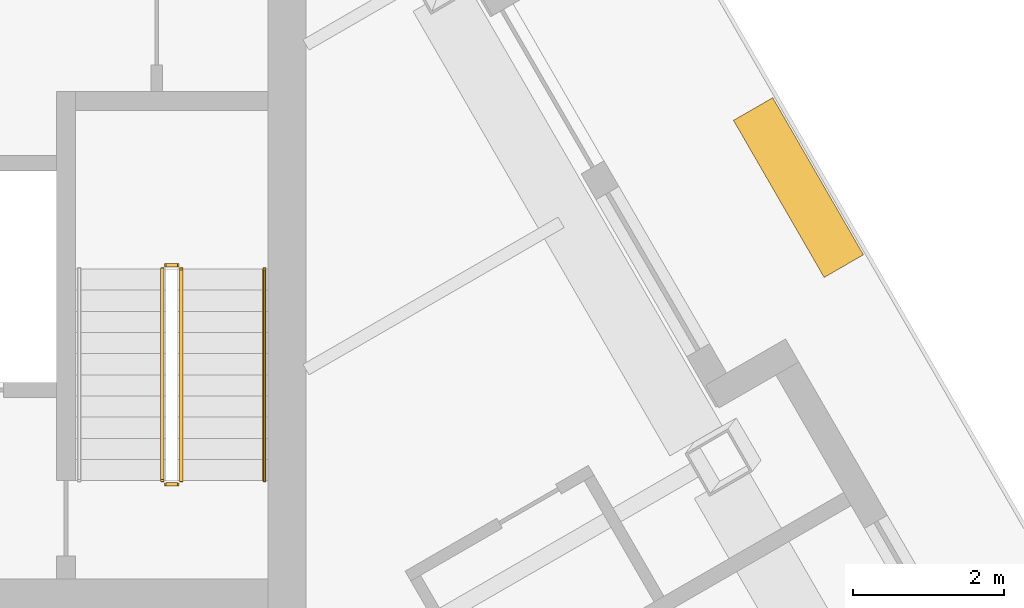
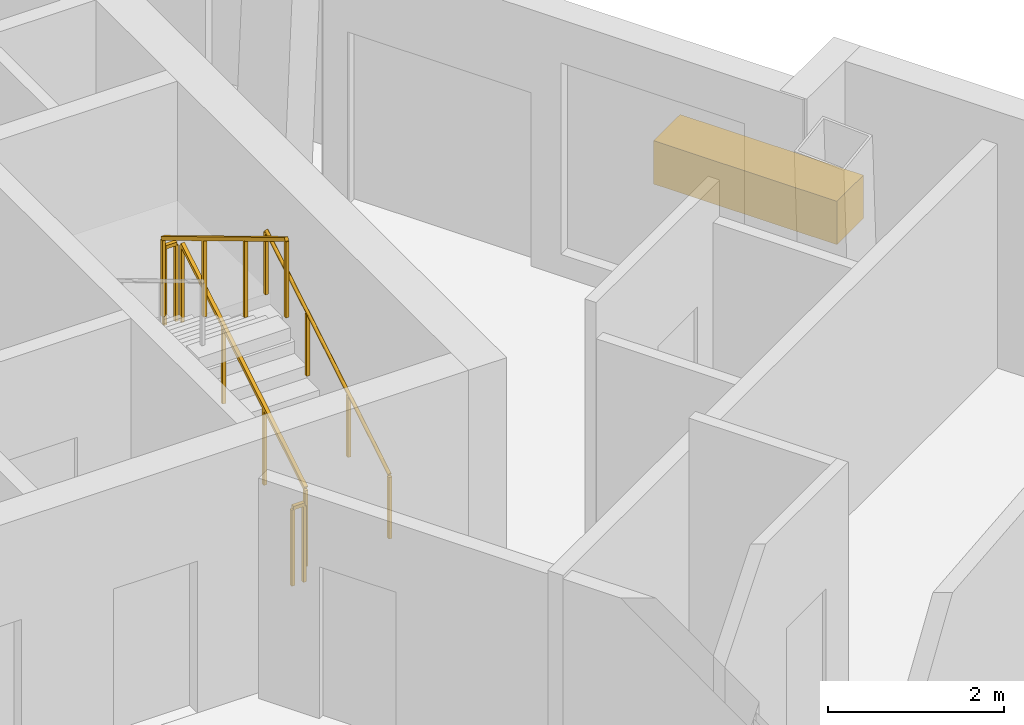
# One storey, part 13 of 13: 5 railings, 1 covering.
"""IFC4 building model written with IfcOpenShell, lengths in metres."""

from ifc_helpers import new_model, si_unit, direction, frame, origin, origin_2d, place, context, subcontext, project, spatial, rectangle, circle, extrude, material, type_object, element, save


model = new_model("IFC4")

# Units and contexts
model_context = context("Model", 3, precision=1e-05, world=origin(), true_north=direction((0.0, 1.0)))
body_context = subcontext(model_context, "Body", "Model", "MODEL_VIEW")
ifc_project = project(units=[si_unit("LENGTHUNIT", "METRE"), si_unit("AREAUNIT", "SQUARE_METRE"), si_unit("VOLUMEUNIT", "CUBIC_METRE"), si_unit("PLANEANGLEUNIT", "RADIAN"), si_unit("MASSUNIT", "GRAM", prefix="KILO")], contexts=[model_context])

# Site, building, storey
site_placement = place(None, origin())
site = spatial("IfcSite", under=ifc_project, at=site_placement, CompositionType="ELEMENT")
building_placement = place(site_placement, origin())
building = spatial("IfcBuilding", under=site, at=building_placement, Name="Apuvela Tower Hotel", CompositionType="ELEMENT")
storey_placement = place(building_placement, frame((0.0, 0.0, 276.300048828125)))
storey = spatial("IfcBuildingStorey", under=building, at=storey_placement, Name="L68", CompositionType="ELEMENT", Elevation=276.300048828125)

# Railings
ifc_material_1 = material(Name="Steel S275 balustrade", Category="steel")
railing_type_1 = type_object("IfcRailingType", Name="COR-GUARD-1100", PredefinedType="GUARDRAIL", material=ifc_material_1)
railing_1_placement = place(storey_placement, frame((3.85009765625, 14.60009765625, 0.168212890625)))
element("IfcRailing", 1, at=railing_1_placement, inside=storey, type_object=railing_type_1, Name="L68 ST1 stair guard 1", PredefinedType="GUARDRAIL", context=body_context, shape_type="SweptSolid", body=[
    extrude(rectangle(XDim=0.048095703125, YDim=0.048095703125, at=origin_2d()), frame((0.0, 0.0, 1.076171875), z_axis=(0.0, 0.857255387014, 0.514891446264), x_axis=(-1.0, 0.0, 0.0)), (0.0, 0.0, 1.0), 3.26611328125),
    extrude(rectangle(XDim=0.0419921875, YDim=0.0419921875, at=origin_2d()), origin(), (0.0, 0.0, 1.0), 1.052001953125),
    extrude(rectangle(XDim=0.0419921875, YDim=0.0419921875, at=origin_2d()), frame((0.0, 0.933349609375, 0.560546875)), (0.0, 0.0, 1.0), 1.052001953125),
    extrude(rectangle(XDim=0.0419921875, YDim=0.0419921875, at=origin_2d()), frame((0.0, 1.866455078125, 1.12109375)), (0.0, 0.0, 1.0), 1.052001953125),
    extrude(rectangle(XDim=0.0419921875, YDim=0.0419921875, at=origin_2d()), frame((0.0, 2.7998046875, 1.681640625)), (0.0, 0.0, 1.0), 1.052001953125),
])
railing_2_placement = place(storey_placement, frame((3.800048828125, 17.449951171875, 1.849853515625)))
element("IfcRailing", 2, at=railing_2_placement, inside=storey, type_object=railing_type_1, Name="L68 ST1 stair guard 2", PredefinedType="GUARDRAIL", context=body_context, shape_type="SweptSolid", body=[
    extrude(rectangle(XDim=0.048095703125, YDim=0.048095703125, at=origin_2d()), frame((0.0, 0.0, 1.076171875), z_axis=(-1.0, 0.0, 0.0), x_axis=(0.0, -1.0, 0.0)), (0.0, 0.0, 1.0), 0.150146484375),
    extrude(rectangle(XDim=0.0419921875, YDim=0.0419921875, at=origin_2d()), origin(), (0.0, 0.0, 1.0), 1.052001953125),
    extrude(rectangle(XDim=0.0419921875, YDim=0.0419921875, at=origin_2d()), frame((-0.150146484375, 0.0, 0.0)), (0.0, 0.0, 1.0), 1.052001953125),
])
railing_3_placement = place(storey_placement, frame((3.60009765625, 17.39990234375, 2.01806640625)))
element("IfcRailing", 3, at=railing_3_placement, inside=storey, type_object=railing_type_1, Name="L68 ST1 stair guard 3", PredefinedType="GUARDRAIL", context=body_context, shape_type="SweptSolid", body=[
    extrude(rectangle(XDim=0.048095703125, YDim=0.048095703125, at=origin_2d()), frame((0.0, 0.0, 1.076171875), z_axis=(0.0, -0.857222391501, 0.514946377315), x_axis=(1.0, 0.0, 0.0)), (0.0, 0.0, 1.0), 3.26611328125),
    extrude(rectangle(XDim=0.0419921875, YDim=0.0419921875, at=origin_2d()), origin(), (0.0, 0.0, 1.0), 1.052001953125),
    extrude(rectangle(XDim=0.0419921875, YDim=0.0419921875, at=origin_2d()), frame((0.0, -0.933349609375, 0.560546875)), (0.0, 0.0, 1.0), 1.052001953125),
    extrude(rectangle(XDim=0.0419921875, YDim=0.0419921875, at=origin_2d()), frame((0.0, -1.866455078125, 1.121337890625)), (0.0, 0.0, 1.0), 1.052001953125),
    extrude(rectangle(XDim=0.0419921875, YDim=0.0419921875, at=origin_2d()), frame((0.0, -2.7998046875, 1.681884765625)), (0.0, 0.0, 1.0), 1.052001953125),
])
railing_4_placement = place(storey_placement, frame((3.800048828125, 14.550048828125, 0.0)))
element("IfcRailing", 4, at=railing_4_placement, inside=storey, type_object=railing_type_1, Name="L68 ST1 stair guard 4", PredefinedType="GUARDRAIL", context=body_context, shape_type="SweptSolid", body=[
    extrude(rectangle(XDim=0.048095703125, YDim=0.048095703125, at=origin_2d()), frame((0.0, 0.0, 1.076171875), z_axis=(-1.0, 0.0, 0.0), x_axis=(0.0, -1.0, 0.0)), (0.0, 0.0, 1.0), 0.150146484375),
    extrude(rectangle(XDim=0.0419921875, YDim=0.0419921875, at=origin_2d()), origin(), (0.0, 0.0, 1.0), 1.052001953125),
    extrude(rectangle(XDim=0.0419921875, YDim=0.0419921875, at=origin_2d()), frame((-0.150146484375, 0.0, 0.0)), (0.0, 0.0, 1.0), 1.052001953125),
])
ifc_material_2 = material(Name="Stainless steel 316 handrail", Category="steel")
railing_type_2 = type_object("IfcRailingType", Name="COR-HANDRAIL-900", PredefinedType="HANDRAIL", material=ifc_material_2)
railing_5_placement = place(storey_placement, frame((4.949951171875, 14.60009765625, 0.168212890625)))
element("IfcRailing", 5, at=railing_5_placement, inside=storey, type_object=railing_type_2, Name="L68 ST1 stair handrail 1", PredefinedType="HANDRAIL", context=body_context, shape_type="SweptSolid", body=[
    extrude(circle(Radius=0.02392578125, at=origin_2d()), frame((0.0, 0.0, 0.8759765625), z_axis=(0.0, 0.857255387014, 0.514891446264), x_axis=(-1.0, 0.0, 0.0)), (0.0, 0.0, 1.0), 3.26611328125),
    extrude(rectangle(XDim=0.0419921875, YDim=0.0419921875, at=origin_2d()), origin(), (0.0, 0.0, 1.0), 0.851806640625),
    extrude(rectangle(XDim=0.0419921875, YDim=0.0419921875, at=origin_2d()), frame((0.0, 0.933349609375, 0.560546875)), (0.0, 0.0, 1.0), 0.851806640625),
    extrude(rectangle(XDim=0.0419921875, YDim=0.0419921875, at=origin_2d()), frame((0.0, 1.866455078125, 1.12109375)), (0.0, 0.0, 1.0), 0.851806640625),
    extrude(rectangle(XDim=0.0419921875, YDim=0.0419921875, at=origin_2d()), frame((0.0, 2.7998046875, 1.681640625)), (0.0, 0.0, 1.0), 0.851806640625),
])

# Covering
ifc_material_3 = material(Name="Planting substrate and soil, planted")
covering_type = type_object("IfcCoveringType", Name="ENV-PLANTER-2400x600", PredefinedType="USERDEFINED", material=ifc_material_3)
covering_placement = place(storey_placement, frame((12.01708984375, 18.4775390625, 0.0), z_axis=(0.0, 0.0, 1.0), x_axis=(-0.5, 0.866025403784, 0.0)))
element("IfcCovering", 6, at=covering_placement, inside=storey, type_object=covering_type, Name="Planter NE4", ObjectType="PLANTER", PredefinedType="USERDEFINED", context=body_context, shape_type="SweptSolid", body=[
    extrude(rectangle(XDim=2.39990234375, YDim=0.60009765625, at=origin_2d()), origin(), (0.0, 0.0, 1.0), 0.60009765625),
])

save(model, "model.ifc")
